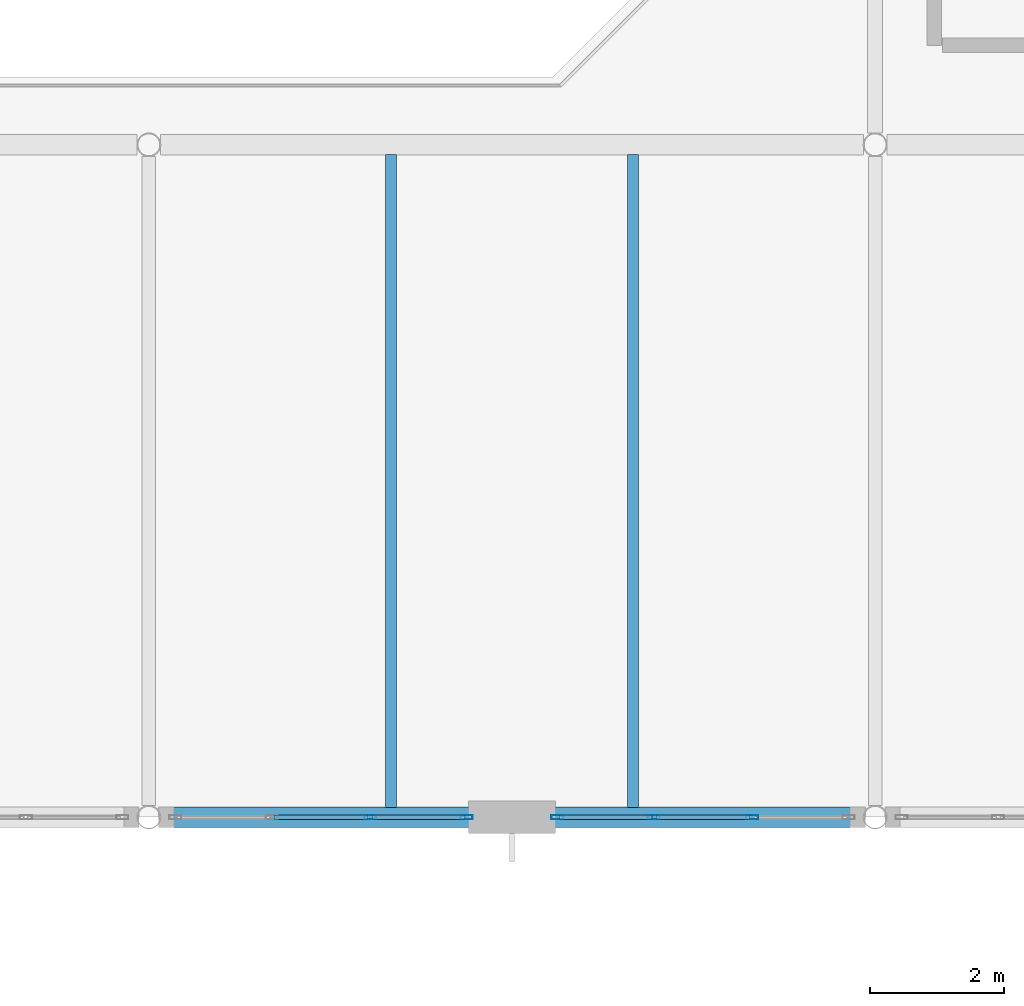
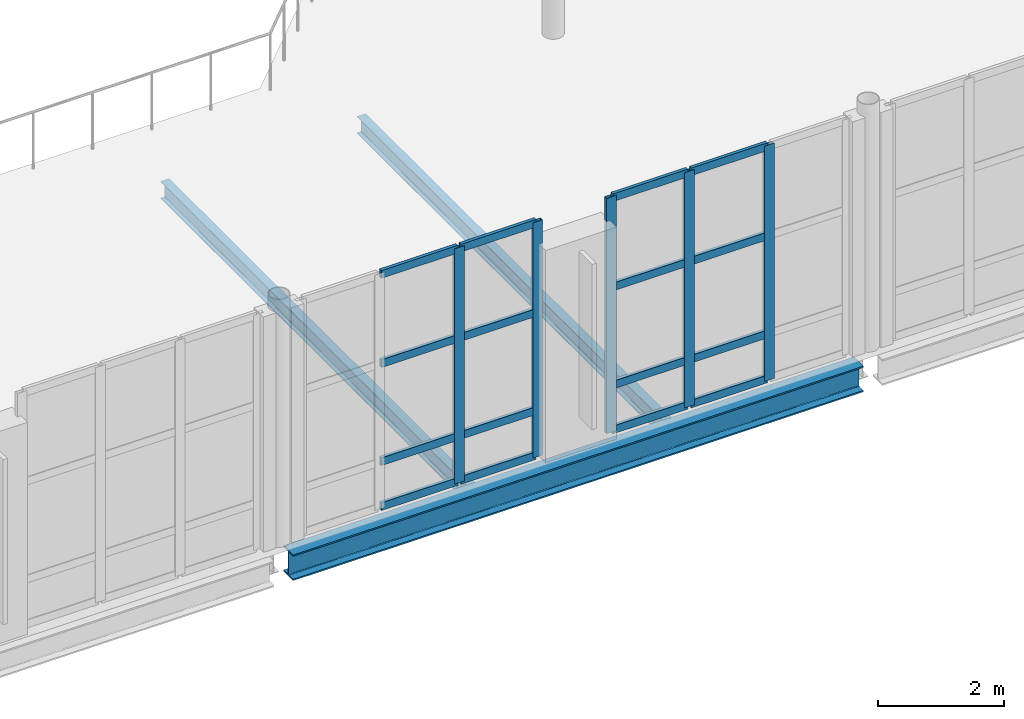
# One storey, part 31 of 100: 21 members, 3 beams, 2 elements without a shape of their own.
"""IFC4 building model written with IfcOpenShell, lengths in metres."""

from ifc_helpers import new_model, si_unit, direction, frame, origin, origin_2d, place, context, subcontext, project, spatial, hollow_rectangle, i_section, extrude, material, layer, layer_set, material_profile, profile_set, type_object, element, aggregate, save


model = new_model("IFC4")

# Units and contexts
model_context = context("Model", 3, precision=1e-05, world=origin(), true_north=direction((0.0, 1.0)))
body_context = subcontext(model_context, "Body", "Model", "MODEL_VIEW")
ifc_project = project(units=[si_unit("LENGTHUNIT", "METRE"), si_unit("AREAUNIT", "SQUARE_METRE"), si_unit("VOLUMEUNIT", "CUBIC_METRE"), si_unit("PLANEANGLEUNIT", "RADIAN"), si_unit("MASSUNIT", "GRAM", prefix="KILO")], contexts=[model_context])

# Site, building, storey
site_placement = place(None, origin())
site = spatial("IfcSite", under=ifc_project, at=site_placement, CompositionType="ELEMENT")
building_placement = place(site_placement, origin())
building = spatial("IfcBuilding", under=site, at=building_placement, Name="Tasgan Crest Museum", CompositionType="ELEMENT")
storey_placement = place(building_placement, frame((0.0, 0.0, 9.60009765625)))
storey = spatial("IfcBuildingStorey", under=building, at=storey_placement, Name="L02", CompositionType="ELEMENT", Elevation=9.60009765625)

# Beams
ifc_material_1 = material(Name="Steel S355J2", Category="steel")
ifc_material_profile_1 = material_profile(ifc_material_1, i_section(OverallWidth=0.300048828125, OverallDepth=0.5, WebThickness=0.014404296875, FlangeThickness=0.028076171875, FilletRadius=0.027099609375, at=origin_2d()), Name="HEB 500")
ifc_profile_set_1 = profile_set([ifc_material_profile_1], Name="Steel S355J2")
beam_type_1 = type_object("IfcBeamType", Name="BM-G-HEB500", PredefinedType="BEAM", material=ifc_profile_set_1)
beam_placement = place(storey_placement, frame((86.57373046875, 40.0, -0.489990234375), z_axis=(1.0, 0.0, 0.0), x_axis=(0.0, 1.0, 0.0)))
element("IfcBeam", 1, at=beam_placement, inside=storey, type_object=beam_type_1, Name="Girder L02 E 86.4-97.2", PredefinedType="BEAM", context=body_context, shape_type="SweptSolid", body=[
    extrude(i_section(OverallWidth=0.300048828125, OverallDepth=0.5, WebThickness=0.014404296875, FlangeThickness=0.028076171875, FilletRadius=0.027099609375, at=origin_2d()), origin(), (0.0, 0.0, 1.0), 10.452392578125),
])
ifc_material_2 = material(Name="Steel S355J2", Category="steel")
ifc_material_profile_2 = material_profile(ifc_material_2, i_section(OverallWidth=0.159912109375, OverallDepth=0.330078125, WebThickness=0.007568359375, FlangeThickness=0.011474609375, FilletRadius=0.01806640625, at=origin_2d()), Name="IPE 330")
ifc_profile_set_2 = profile_set([ifc_material_profile_2], Name="Steel S355J2")
beam_type_2 = type_object("IfcBeamType", Name="BM-J-IPE330", PredefinedType="JOIST", material=ifc_profile_set_2)
for number, where, z_axis, x_axis, name in (
    (2, (90.0, 40.14501953125, -0.405029296875), (0.0, 1.0, 0.0), (-1.0, 0.0, 0.0), "Secondary joist L02 X=90.0 Y=40.0-50.0"),
    (3, (93.60009765625, 40.14501953125, -0.405029296875), (0.0, 1.0, 0.0), (-1.0, 0.0, 0.0), "Secondary joist L02 X=93.6 Y=40.0-50.0"),
):
    element("IfcBeam", number, at=place(storey_placement, frame(where, z_axis=z_axis, x_axis=x_axis)), inside=storey, type_object=beam_type_2, Name=name, PredefinedType="JOIST", context=body_context, shape_type="SweptSolid", body=[
        extrude(i_section(OverallWidth=0.159912109375, OverallDepth=0.330078125, WebThickness=0.007568359375, FlangeThickness=0.011474609375, FilletRadius=0.01806640625, at=origin_2d()), origin(), (0.0, 0.0, 1.0), 9.7099609375),
    ])

# Curtain wall, members
ifc_material_3 = material(Name="Triple-Glazed Aluminium Curtain Wall", Category="aluminium")
ifc_layer = layer(ifc_material_3, 0.179931640625, Name="CW-DRUM-X-48")
ifc_layer_set = layer_set([ifc_layer], Name="Triple-Glazed Aluminium Curtain Wall")
curtain_wall_type = type_object("IfcCurtainWallType", Name="CW-DRUM-X-48", PredefinedType="NOTDEFINED", material=ifc_layer_set)
curtain_wall_1_placement = place(storey_placement, origin())
curtain_wall_1 = element("IfcCurtainWall", 4, at=curtain_wall_1_placement, inside=storey, type_object=curtain_wall_type, Name="Curtain wall L02 107", PredefinedType="NOTDEFINED")
ifc_material_4 = material(Name="Anodised Aluminium", Category="aluminium")
ifc_material_profile_3 = material_profile(ifc_material_4, hollow_rectangle(XDim=0.06494140625, YDim=0.179931640625, WallThickness=0.0048828125, at=origin_2d()), Name="ALU MULLION 180x65x5")
ifc_profile_set_3 = profile_set([ifc_material_profile_3], Name="Anodised Aluminium")
member_type_1 = type_object("IfcMemberType", Name="CW-MULLION-180", PredefinedType="MULLION", material=ifc_profile_set_3)
member_1_placement = place(storey_placement, frame((89.691650390625, 40.0, 0.0), z_axis=(0.0, 0.0, 1.0), x_axis=(0.0, 1.0, 0.0)))
member_1 = element("IfcMember", 5, at=member_1_placement, type_object=member_type_1, Name="CW03 mullion 3", PredefinedType="MULLION", context=body_context, shape_type="SweptSolid", body=[
    extrude(hollow_rectangle(XDim=0.06494140625, YDim=0.179931640625, WallThickness=0.0048828125, at=origin_2d()), origin(), (0.0, 0.0, 1.0), 4.559814453125),
])
member_2_placement = place(storey_placement, frame((91.125, 40.0, 0.0), z_axis=(0.0, 0.0, 1.0), x_axis=(0.0, 1.0, 0.0)))
member_2 = element("IfcMember", 6, at=member_2_placement, type_object=member_type_1, Name="CW03 mullion 4", PredefinedType="MULLION", context=body_context, shape_type="SweptSolid", body=[
    extrude(hollow_rectangle(XDim=0.06494140625, YDim=0.179931640625, WallThickness=0.0048828125, at=origin_2d()), origin(), (0.0, 0.0, 1.0), 4.559814453125),
])

curtain_wall_2_placement = place(storey_placement, origin())
curtain_wall_2 = element("IfcCurtainWall", 7, at=curtain_wall_2_placement, inside=storey, type_object=curtain_wall_type, Name="Curtain wall L02 108", PredefinedType="NOTDEFINED")
member_3_placement = place(storey_placement, frame((92.47509765625, 40.0, 0.0), z_axis=(0.0, 0.0, 1.0), x_axis=(0.0, 1.0, 0.0)))
member_3 = element("IfcMember", 8, at=member_3_placement, type_object=member_type_1, Name="CW03 mullion 1", PredefinedType="MULLION", context=body_context, shape_type="SweptSolid", body=[
    extrude(hollow_rectangle(XDim=0.06494140625, YDim=0.179931640625, WallThickness=0.0048828125, at=origin_2d()), origin(), (0.0, 0.0, 1.0), 4.559814453125),
])
member_4_placement = place(storey_placement, frame((93.908447265625, 40.0, 0.0), z_axis=(0.0, 0.0, 1.0), x_axis=(0.0, 1.0, 0.0)))
member_4 = element("IfcMember", 9, at=member_4_placement, type_object=member_type_1, Name="CW03 mullion 2", PredefinedType="MULLION", context=body_context, shape_type="SweptSolid", body=[
    extrude(hollow_rectangle(XDim=0.06494140625, YDim=0.179931640625, WallThickness=0.0048828125, at=origin_2d()), origin(), (0.0, 0.0, 1.0), 4.559814453125),
])
member_5_placement = place(storey_placement, frame((95.37158203125, 40.0, 0.0), z_axis=(0.0, 0.0, 1.0), x_axis=(0.0, 1.0, 0.0)))
member_5 = element("IfcMember", 10, at=member_5_placement, type_object=member_type_1, Name="CW03 mullion 3", PredefinedType="MULLION", context=body_context, shape_type="SweptSolid", body=[
    extrude(hollow_rectangle(XDim=0.06494140625, YDim=0.179931640625, WallThickness=0.0048828125, at=origin_2d()), origin(), (0.0, 0.0, 1.0), 4.559814453125),
])

# Member
ifc_material_5 = material(Name="Anodised Aluminium", Category="aluminium")
ifc_material_profile_4 = material_profile(ifc_material_5, hollow_rectangle(XDim=0.06005859375, YDim=0.14990234375, WallThickness=0.0048828125, at=origin_2d()), Name="ALU TRANSOM 150x60x5")
ifc_profile_set_4 = profile_set([ifc_material_profile_4], Name="Anodised Aluminium")
member_type_2 = type_object("IfcMemberType", Name="CW-TRANSOM-150", PredefinedType="USERDEFINED", material=ifc_profile_set_4)
member_6_placement = place(storey_placement, frame((88.25830078125, 40.0, 0.02978515625), z_axis=(1.0, 0.0, 0.0), x_axis=(0.0, 1.0, 0.0)))
member_6 = element("IfcMember", 11, at=member_6_placement, type_object=member_type_2, Name="CW03 transom 2.1", ObjectType="TRANSOM", PredefinedType="USERDEFINED", context=body_context, shape_type="SweptSolid", body=[
    extrude(hollow_rectangle(XDim=0.06005859375, YDim=0.14990234375, WallThickness=0.0048828125, at=origin_2d()), origin(), (0.0, 0.0, 1.0), 1.4033203125),
])

member_7_placement = place(storey_placement, frame((88.25830078125, 40.0, 0.89990234375), z_axis=(1.0, 0.0, 0.0), x_axis=(0.0, 1.0, 0.0)))
member_7 = element("IfcMember", 12, at=member_7_placement, type_object=member_type_2, Name="CW03 transom 2.2", ObjectType="TRANSOM", PredefinedType="USERDEFINED", context=body_context, shape_type="SweptSolid", body=[
    extrude(hollow_rectangle(XDim=0.06005859375, YDim=0.14990234375, WallThickness=0.0048828125, at=origin_2d()), origin(), (0.0, 0.0, 1.0), 1.4033203125),
])

member_8_placement = place(storey_placement, frame((88.25830078125, 40.0, 2.7998046875), z_axis=(1.0, 0.0, 0.0), x_axis=(0.0, 1.0, 0.0)))
member_8 = element("IfcMember", 13, at=member_8_placement, type_object=member_type_2, Name="CW03 transom 2.3", ObjectType="TRANSOM", PredefinedType="USERDEFINED", context=body_context, shape_type="SweptSolid", body=[
    extrude(hollow_rectangle(XDim=0.06005859375, YDim=0.14990234375, WallThickness=0.0048828125, at=origin_2d()), origin(), (0.0, 0.0, 1.0), 1.4033203125),
])

member_9_placement = place(storey_placement, frame((88.25830078125, 40.0, 4.52978515625), z_axis=(1.0, 0.0, 0.0), x_axis=(0.0, 1.0, 0.0)))
member_9 = element("IfcMember", 14, at=member_9_placement, type_object=member_type_2, Name="CW03 transom 2.4", ObjectType="TRANSOM", PredefinedType="USERDEFINED", context=body_context, shape_type="SweptSolid", body=[
    extrude(hollow_rectangle(XDim=0.06005859375, YDim=0.14990234375, WallThickness=0.0048828125, at=origin_2d()), origin(), (0.0, 0.0, 1.0), 1.4033203125),
])

member_10_placement = place(storey_placement, frame((89.7216796875, 40.0, 0.02978515625), z_axis=(1.0, 0.0, 0.0), x_axis=(0.0, 1.0, 0.0)))
member_10 = element("IfcMember", 15, at=member_10_placement, type_object=member_type_2, Name="CW03 transom 3.1", ObjectType="TRANSOM", PredefinedType="USERDEFINED", context=body_context, shape_type="SweptSolid", body=[
    extrude(hollow_rectangle(XDim=0.06005859375, YDim=0.14990234375, WallThickness=0.0048828125, at=origin_2d()), origin(), (0.0, 0.0, 1.0), 1.373291015625),
])

member_11_placement = place(storey_placement, frame((89.7216796875, 40.0, 0.89990234375), z_axis=(1.0, 0.0, 0.0), x_axis=(0.0, 1.0, 0.0)))
member_11 = element("IfcMember", 16, at=member_11_placement, type_object=member_type_2, Name="CW03 transom 3.2", ObjectType="TRANSOM", PredefinedType="USERDEFINED", context=body_context, shape_type="SweptSolid", body=[
    extrude(hollow_rectangle(XDim=0.06005859375, YDim=0.14990234375, WallThickness=0.0048828125, at=origin_2d()), origin(), (0.0, 0.0, 1.0), 1.373291015625),
])

member_12_placement = place(storey_placement, frame((89.7216796875, 40.0, 2.7998046875), z_axis=(1.0, 0.0, 0.0), x_axis=(0.0, 1.0, 0.0)))
member_12 = element("IfcMember", 17, at=member_12_placement, type_object=member_type_2, Name="CW03 transom 3.3", ObjectType="TRANSOM", PredefinedType="USERDEFINED", context=body_context, shape_type="SweptSolid", body=[
    extrude(hollow_rectangle(XDim=0.06005859375, YDim=0.14990234375, WallThickness=0.0048828125, at=origin_2d()), origin(), (0.0, 0.0, 1.0), 1.373291015625),
])

member_13_placement = place(storey_placement, frame((89.7216796875, 40.0, 4.52978515625), z_axis=(1.0, 0.0, 0.0), x_axis=(0.0, 1.0, 0.0)))
member_13 = element("IfcMember", 18, at=member_13_placement, type_object=member_type_2, Name="CW03 transom 3.4", ObjectType="TRANSOM", PredefinedType="USERDEFINED", context=body_context, shape_type="SweptSolid", body=[
    extrude(hollow_rectangle(XDim=0.06005859375, YDim=0.14990234375, WallThickness=0.0048828125, at=origin_2d()), origin(), (0.0, 0.0, 1.0), 1.373291015625),
])

aggregate(curtain_wall_1, [member_1, member_2, member_6, member_7, member_8, member_9, member_10, member_11, member_12, member_13])

member_14_placement = place(storey_placement, frame((92.5048828125, 40.0, 0.02978515625), z_axis=(1.0, 0.0, 0.0), x_axis=(0.0, 1.0, 0.0)))
member_14 = element("IfcMember", 19, at=member_14_placement, type_object=member_type_2, Name="CW03 transom 1.1", ObjectType="TRANSOM", PredefinedType="USERDEFINED", context=body_context, shape_type="SweptSolid", body=[
    extrude(hollow_rectangle(XDim=0.06005859375, YDim=0.14990234375, WallThickness=0.0048828125, at=origin_2d()), origin(), (0.0, 0.0, 1.0), 1.37353515625),
])

member_15_placement = place(storey_placement, frame((92.5048828125, 40.0, 0.89990234375), z_axis=(1.0, 0.0, 0.0), x_axis=(0.0, 1.0, 0.0)))
member_15 = element("IfcMember", 20, at=member_15_placement, type_object=member_type_2, Name="CW03 transom 1.2", ObjectType="TRANSOM", PredefinedType="USERDEFINED", context=body_context, shape_type="SweptSolid", body=[
    extrude(hollow_rectangle(XDim=0.06005859375, YDim=0.14990234375, WallThickness=0.0048828125, at=origin_2d()), origin(), (0.0, 0.0, 1.0), 1.37353515625),
])

member_16_placement = place(storey_placement, frame((92.5048828125, 40.0, 2.7998046875), z_axis=(1.0, 0.0, 0.0), x_axis=(0.0, 1.0, 0.0)))
member_16 = element("IfcMember", 21, at=member_16_placement, type_object=member_type_2, Name="CW03 transom 1.3", ObjectType="TRANSOM", PredefinedType="USERDEFINED", context=body_context, shape_type="SweptSolid", body=[
    extrude(hollow_rectangle(XDim=0.06005859375, YDim=0.14990234375, WallThickness=0.0048828125, at=origin_2d()), origin(), (0.0, 0.0, 1.0), 1.37353515625),
])

member_17_placement = place(storey_placement, frame((92.5048828125, 40.0, 4.52978515625), z_axis=(1.0, 0.0, 0.0), x_axis=(0.0, 1.0, 0.0)))
member_17 = element("IfcMember", 22, at=member_17_placement, type_object=member_type_2, Name="CW03 transom 1.4", ObjectType="TRANSOM", PredefinedType="USERDEFINED", context=body_context, shape_type="SweptSolid", body=[
    extrude(hollow_rectangle(XDim=0.06005859375, YDim=0.14990234375, WallThickness=0.0048828125, at=origin_2d()), origin(), (0.0, 0.0, 1.0), 1.37353515625),
])

member_18_placement = place(storey_placement, frame((93.938232421875, 40.0, 0.02978515625), z_axis=(1.0, 0.0, 0.0), x_axis=(0.0, 1.0, 0.0)))
member_18 = element("IfcMember", 23, at=member_18_placement, type_object=member_type_2, Name="CW03 transom 2.1", ObjectType="TRANSOM", PredefinedType="USERDEFINED", context=body_context, shape_type="SweptSolid", body=[
    extrude(hollow_rectangle(XDim=0.06005859375, YDim=0.14990234375, WallThickness=0.0048828125, at=origin_2d()), origin(), (0.0, 0.0, 1.0), 1.4033203125),
])

member_19_placement = place(storey_placement, frame((93.938232421875, 40.0, 0.89990234375), z_axis=(1.0, 0.0, 0.0), x_axis=(0.0, 1.0, 0.0)))
member_19 = element("IfcMember", 24, at=member_19_placement, type_object=member_type_2, Name="CW03 transom 2.2", ObjectType="TRANSOM", PredefinedType="USERDEFINED", context=body_context, shape_type="SweptSolid", body=[
    extrude(hollow_rectangle(XDim=0.06005859375, YDim=0.14990234375, WallThickness=0.0048828125, at=origin_2d()), origin(), (0.0, 0.0, 1.0), 1.4033203125),
])

member_20_placement = place(storey_placement, frame((93.938232421875, 40.0, 2.7998046875), z_axis=(1.0, 0.0, 0.0), x_axis=(0.0, 1.0, 0.0)))
member_20 = element("IfcMember", 25, at=member_20_placement, type_object=member_type_2, Name="CW03 transom 2.3", ObjectType="TRANSOM", PredefinedType="USERDEFINED", context=body_context, shape_type="SweptSolid", body=[
    extrude(hollow_rectangle(XDim=0.06005859375, YDim=0.14990234375, WallThickness=0.0048828125, at=origin_2d()), origin(), (0.0, 0.0, 1.0), 1.4033203125),
])

member_21_placement = place(storey_placement, frame((93.938232421875, 40.0, 4.52978515625), z_axis=(1.0, 0.0, 0.0), x_axis=(0.0, 1.0, 0.0)))
member_21 = element("IfcMember", 26, at=member_21_placement, type_object=member_type_2, Name="CW03 transom 2.4", ObjectType="TRANSOM", PredefinedType="USERDEFINED", context=body_context, shape_type="SweptSolid", body=[
    extrude(hollow_rectangle(XDim=0.06005859375, YDim=0.14990234375, WallThickness=0.0048828125, at=origin_2d()), origin(), (0.0, 0.0, 1.0), 1.4033203125),
])

aggregate(curtain_wall_2, [member_3, member_4, member_5, member_14, member_15, member_16, member_17, member_18, member_19, member_20, member_21])

save(model, "model.ifc")
